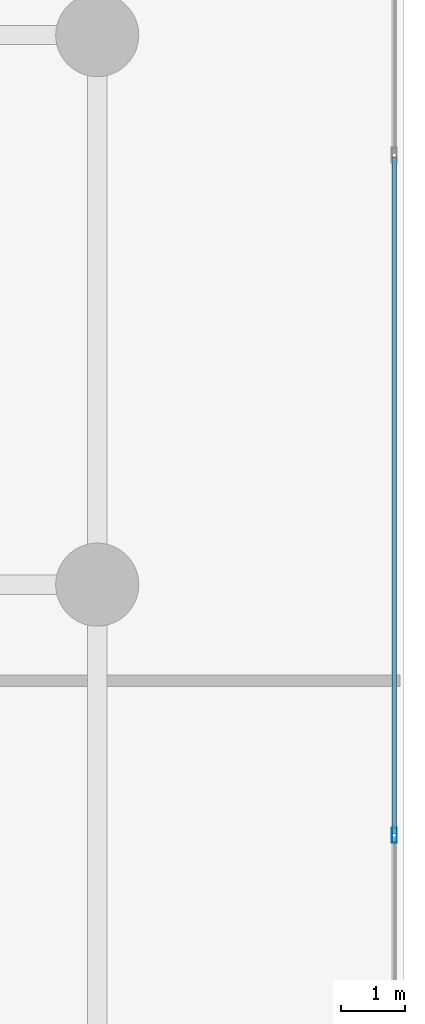
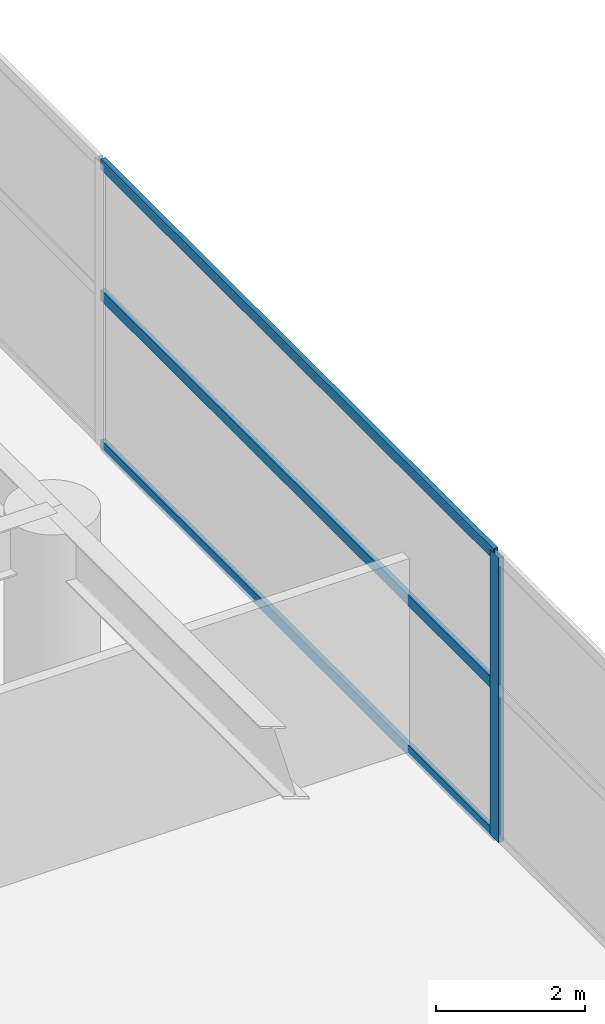
# One storey, part 24 of 35: 4 members, 1 element without a shape of its own.
"""IFC4 building model written with IfcOpenShell, lengths in metres."""

from ifc_helpers import new_model, si_unit, direction, frame, origin, origin_2d, place, context, subcontext, project, spatial, hollow_rectangle, extrude, material, layer, layer_set, material_profile, profile_set, type_object, element, aggregate, save


model = new_model("IFC4")

# Units and contexts
model_context = context("Model", 3, precision=1e-05, world=origin(), true_north=direction((0.0, 1.0)))
body_context = subcontext(model_context, "Body", "Model", "MODEL_VIEW")
ifc_project = project(units=[si_unit("LENGTHUNIT", "METRE"), si_unit("AREAUNIT", "SQUARE_METRE"), si_unit("VOLUMEUNIT", "CUBIC_METRE"), si_unit("PLANEANGLEUNIT", "RADIAN"), si_unit("MASSUNIT", "GRAM", prefix="KILO")], contexts=[model_context])

# Site, building, storey
site_placement = place(None, origin())
site = spatial("IfcSite", under=ifc_project, at=site_placement, CompositionType="ELEMENT")
building_placement = place(site_placement, origin())
building = spatial("IfcBuilding", under=site, at=building_placement, Name="Calvorn Quay Hotel", CompositionType="ELEMENT")
storey_placement = place(building_placement, frame((0.0, 0.0, 12.0)))
storey = spatial("IfcBuildingStorey", under=building, at=storey_placement, Name="L02", CompositionType="ELEMENT", Elevation=12.0)

# Curtain wall, members
ifc_material_1 = material(Name="Pale Anodised Aluminium and Low-E Glass", Category="aluminium")
ifc_layer = layer(ifc_material_1, 0.219970703125)
ifc_layer_set = layer_set([ifc_layer], Name="CW-SYS-POD")
curtain_wall_type = type_object("IfcCurtainWallType", Name="CW-SYS-POD", PredefinedType="NOTDEFINED", material=ifc_layer_set)
curtain_wall_placement = place(storey_placement, origin())
curtain_wall = element("IfcCurtainWall", 1, at=curtain_wall_placement, inside=storey, type_object=curtain_wall_type, Name="Podium Curtain Wall L02-E1", PredefinedType="NOTDEFINED")
ifc_material_2 = material(Name="Pale Anodised Aluminium 6063-T6", Category="aluminium")
ifc_material_profile_1 = material_profile(ifc_material_2, hollow_rectangle(XDim=0.080078125, YDim=0.239990234375, WallThickness=0.0048828125, at=origin_2d()), Name="ALU-M240x80x5")
ifc_profile_set_1 = profile_set([ifc_material_profile_1], Name="Pale Anodised Aluminium 6063-T6")
member_type_1 = type_object("IfcMemberType", Name="CW-SYS-POD-MUL", PredefinedType="MULLION", material=ifc_profile_set_1)
member_1_placement = place(storey_placement, frame((83.85009765625, 23.679931640625, 0.0), z_axis=(0.0, 0.0, 1.0), x_axis=(-1.0, 0.0, 0.0)))
member_1 = element("IfcMember", 2, at=member_1_placement, type_object=member_type_1, Name="CW-L02-E1 mullion 3", PredefinedType="MULLION", context=body_context, shape_type="SweptSolid", body=[
    extrude(hollow_rectangle(XDim=0.080078125, YDim=0.239990234375, WallThickness=0.0048828125, at=origin_2d()), origin(), (0.0, 0.0, 1.0), 4.679931640625),
])
ifc_material_3 = material(Name="Pale Anodised Aluminium 6063-T6", Category="aluminium")
ifc_material_profile_2 = material_profile(ifc_material_3, hollow_rectangle(XDim=0.070068359375, YDim=0.179931640625, WallThickness=0.00390625, at=origin_2d()), Name="ALU-T180x70x4")
ifc_profile_set_2 = profile_set([ifc_material_profile_2], Name="Pale Anodised Aluminium 6063-T6")
member_type_2 = type_object("IfcMemberType", Name="CW-SYS-POD-TRN", PredefinedType="USERDEFINED", material=ifc_profile_set_2)
member_2_placement = place(storey_placement, frame((83.85009765625, 23.7099609375, 0.030029296875), z_axis=(0.0, 1.0, 0.0), x_axis=(-1.0, 0.0, 0.0)))
member_2 = element("IfcMember", 3, at=member_2_placement, type_object=member_type_2, Name="CW-L02-E1 transom 3.1", ObjectType="TRANSOM", PredefinedType="USERDEFINED", context=body_context, shape_type="SweptSolid", body=[
    extrude(hollow_rectangle(XDim=0.070068359375, YDim=0.179931640625, WallThickness=0.00390625, at=origin_2d()), origin(), (0.0, 0.0, 1.0), 10.580078125),
])
member_3_placement = place(storey_placement, frame((83.85009765625, 23.7099609375, 2.5), z_axis=(0.0, 1.0, 0.0), x_axis=(-1.0, 0.0, 0.0)))
member_3 = element("IfcMember", 4, at=member_3_placement, type_object=member_type_2, Name="CW-L02-E1 transom 3.2", ObjectType="TRANSOM", PredefinedType="USERDEFINED", context=body_context, shape_type="SweptSolid", body=[
    extrude(hollow_rectangle(XDim=0.070068359375, YDim=0.179931640625, WallThickness=0.00390625, at=origin_2d()), origin(), (0.0, 0.0, 1.0), 10.580078125),
])
member_4_placement = place(storey_placement, frame((83.85009765625, 23.7099609375, 4.64990234375), z_axis=(0.0, 1.0, 0.0), x_axis=(-1.0, 0.0, 0.0)))
member_4 = element("IfcMember", 5, at=member_4_placement, type_object=member_type_2, Name="CW-L02-E1 transom 3.3", ObjectType="TRANSOM", PredefinedType="USERDEFINED", context=body_context, shape_type="SweptSolid", body=[
    extrude(hollow_rectangle(XDim=0.070068359375, YDim=0.179931640625, WallThickness=0.00390625, at=origin_2d()), origin(), (0.0, 0.0, 1.0), 10.580078125),
])
aggregate(curtain_wall, [member_1, member_2, member_3, member_4])

save(model, "model.ifc")
